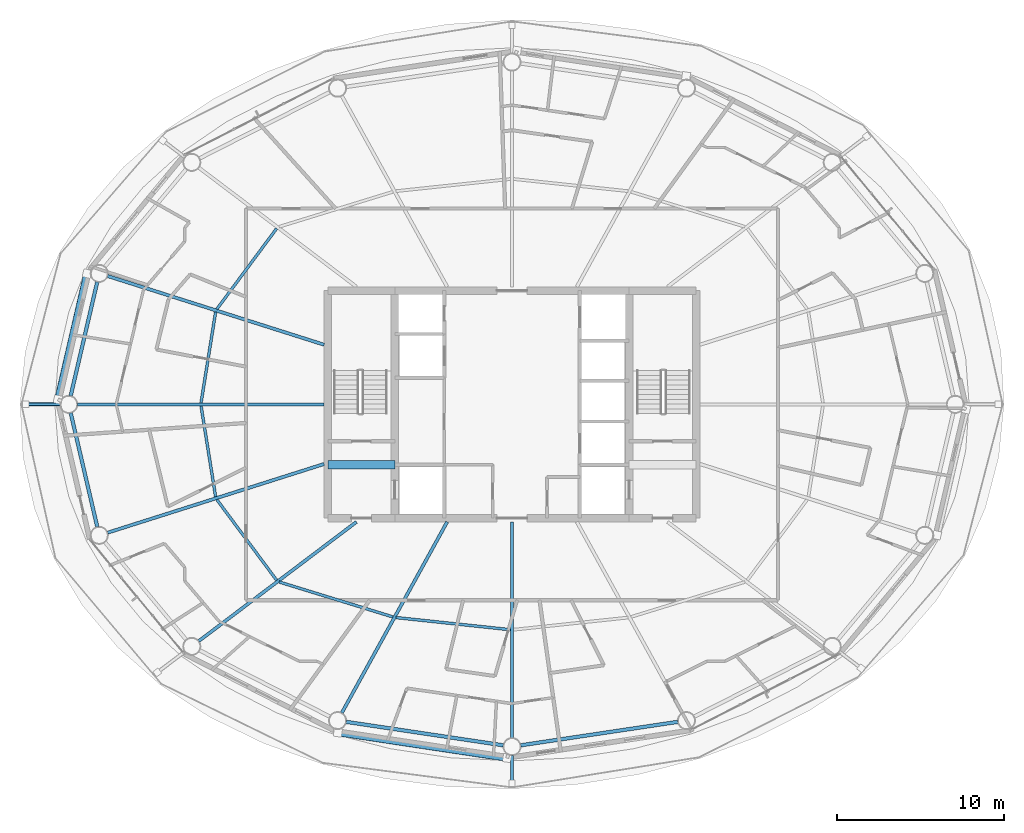
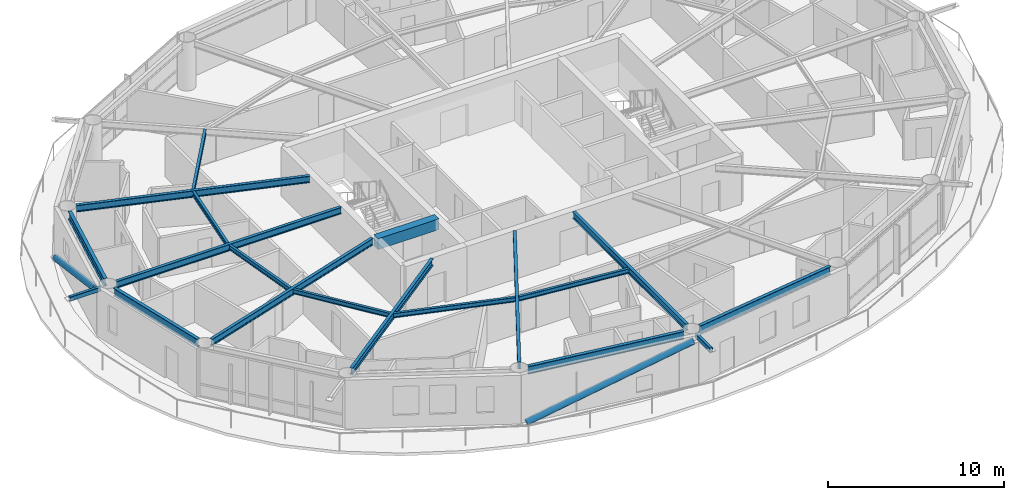
# One storey, part 4 of 30: 17 beams, 4 members.
"""IFC4 building model written with IfcOpenShell, lengths in metres."""

import ifcopenshell
import ifcopenshell.guid

model = None  # the IFC model being written
_history = None  # IfcOwnerHistory: only IFC2X3 demands one
_inside = {}  # id of a spatial element -> (the spatial element, [elements in it])
_under = {}  # id of a project, library or spatial element -> (it, [spatial elements below it])
_declared = {}  # id of a project -> (the project, [libraries it declares])
_typed = {}  # id of a type object -> (the type object, [elements of that type])
_made_of = {}  # id of a material, layer set ... -> (it, [elements and type objects made of it])


def new_model(schema):
    """Start an empty IFC model of exactly this schema.

    Asked for "IFC4X3", IfcOpenShell would pick the latest addendum, in which some entities
    have other attributes; the version numbers below select the first issue.
    IFC2X3 requires an IfcOwnerHistory on every rooted entity: one is made here for all.
    """
    global model, _history
    if schema == "IFC4X3":
        model = ifcopenshell.file(schema_version=(4, 3, 0, 0))
    else:
        model = ifcopenshell.file(schema=schema)
    _inside.clear()
    _under.clear()
    _declared.clear()
    _typed.clear()
    _made_of.clear()
    _history = None
    if model.schema == "IFC2X3":
        org = make("IfcOrganization", Name="unknown")
        user = make(
            "IfcPersonAndOrganization",
            ThePerson=make("IfcPerson", FamilyName="unknown"),
            TheOrganization=org,
        )
        app = make(
            "IfcApplication",
            ApplicationDeveloper=org,
            Version="unknown",
            ApplicationFullName="unknown",
            ApplicationIdentifier="unknown",
        )
        _history = make(
            "IfcOwnerHistory",
            OwningUser=user,
            OwningApplication=app,
            ChangeAction="ADDED",
            CreationDate=0,
        )
    return model


def make(cls, **values):
    """One entity of the class cls with the attributes given. An attribute that is None is left unset."""
    return model.create_entity(
        cls, **{name: value for name, value in values.items() if value is not None}
    )


def rooted(cls, **values):
    """An entity with a GlobalId (a new one), such as an element, a storey or a relation."""
    return make(cls, GlobalId=ifcopenshell.guid.new(), OwnerHistory=_history, **values)


def si_unit(unit_type, name, prefix=None):
    """IfcSIUnit, for example si_unit("LENGTHUNIT", "METRE", prefix="MILLI")."""
    return make("IfcSIUnit", UnitType=unit_type, Prefix=prefix, Name=name)


def assignment(units):
    """IfcUnitAssignment: the units of a project."""
    return None if units is None else make("IfcUnitAssignment", Units=units)


def point(xyz):
    """IfcCartesianPoint."""
    return None if xyz is None else make("IfcCartesianPoint", Coordinates=xyz)


def direction(xyz):
    """IfcDirection."""
    return None if xyz is None else make("IfcDirection", DirectionRatios=xyz)


def frame(location, z_axis=None, x_axis=None):
    """IfcAxis2Placement3D, a coordinate frame: its origin and axes. An axis left out is left unset."""
    return make(
        "IfcAxis2Placement3D",
        Location=point(location),
        Axis=direction(z_axis),
        RefDirection=direction(x_axis),
    )


def frame_2d(location, x_axis=None):
    """IfcAxis2Placement2D, a coordinate frame in the plane: its origin and x axis."""
    return make(
        "IfcAxis2Placement2D", Location=point(location), RefDirection=direction(x_axis)
    )


def origin():
    """The frame at (0, 0, 0) with its axes left unset."""
    return frame((0.0, 0.0, 0.0))


def origin_2d():
    """The frame at (0, 0) in the plane with its x axis left unset."""
    return frame_2d((0.0, 0.0))


def place(relative_to, where):
    """IfcLocalPlacement: puts the frame where relative to a parent placement (None: the world)."""
    return make(
        "IfcLocalPlacement", PlacementRelTo=relative_to, RelativePlacement=where
    )


def context(
    kind, dimensions, precision=None, world=None, true_north=None, identifier=None
):
    """IfcGeometricRepresentationContext, for example the 3D "Model" context."""
    return make(
        "IfcGeometricRepresentationContext",
        ContextIdentifier=identifier,
        ContextType=kind,
        CoordinateSpaceDimension=dimensions,
        Precision=precision,
        WorldCoordinateSystem=world,
        TrueNorth=true_north,
    )


def subcontext(parent, identifier, kind, view, scale=None):
    """IfcGeometricRepresentationSubContext, for example "Body" below "Model"."""
    return make(
        "IfcGeometricRepresentationSubContext",
        ContextIdentifier=identifier,
        ContextType=kind,
        ParentContext=parent,
        TargetScale=scale,
        TargetView=view,
    )


def project(units=None, contexts=None):
    """IfcProject with its units and contexts."""
    return rooted(
        "IfcProject",
        Name="project",
        RepresentationContexts=contexts,
        UnitsInContext=assignment(units),
    )


def spatial(cls, under=None, at=None, **own):
    """A site, building, storey or space (cls), placed at a placement, below another one or the project."""
    s = rooted(cls, ObjectPlacement=at, **own)
    if under is not None:
        _under.setdefault(under.id(), (under, []))[1].append(s)
    return s


def profile(cls, at=None, kind="AREA", **sizes):
    """A parametric profile (cls). Its sizes go by their IFC names, for example OverallWidth=200.0."""
    return make(cls, ProfileType=kind, Position=at, **sizes)


def rectangle(**sizes):
    """IfcRectangleProfileDef."""
    return profile("IfcRectangleProfileDef", **sizes)


def hollow_rectangle(**sizes):
    """IfcRectangleHollowProfileDef."""
    return profile("IfcRectangleHollowProfileDef", **sizes)


def hollow_circle(**sizes):
    """IfcCircleHollowProfileDef."""
    return profile("IfcCircleHollowProfileDef", **sizes)


def i_section(**sizes):
    """IfcIShapeProfileDef."""
    return profile("IfcIShapeProfileDef", **sizes)


def extrude(swept, where, along, depth):
    """IfcExtrudedAreaSolid: the profile swept, set in the frame where, extruded along a direction by depth."""
    return make(
        "IfcExtrudedAreaSolid",
        SweptArea=swept,
        Position=where,
        ExtrudedDirection=direction(along),
        Depth=depth,
    )


def shape(context_of_items, identifier, shape_type, items):
    """IfcShapeRepresentation: the items that make up one representation, for example the "Body"."""
    return make(
        "IfcShapeRepresentation",
        ContextOfItems=context_of_items,
        RepresentationIdentifier=identifier,
        RepresentationType=shape_type,
        Items=items,
    )


def material(Name=None, Category=None):
    """IfcMaterial."""
    return make("IfcMaterial", Name=Name, Category=Category)


def material_profile(
    of_material, cross_section, Name=None, Category=None, Priority=None
):
    """IfcMaterialProfile: a cross section and its material."""
    return make(
        "IfcMaterialProfile",
        Name=Name,
        Material=of_material,
        Profile=cross_section,
        Priority=Priority,
        Category=Category,
    )


def profile_set(profiles, Name=None, composite=None):
    """IfcMaterialProfileSet."""
    return make(
        "IfcMaterialProfileSet",
        Name=Name,
        MaterialProfiles=profiles,
        CompositeProfile=composite,
    )


def made_of(thing, what):
    """Note that an element or type object is made of a material, layer set ...; save() writes the relation."""
    if what is not None:
        _made_of.setdefault(what.id(), (what, []))[1].append(thing)
    return thing


def type_object(cls, material=None, **own):
    """A type object (cls), such as IfcWallType, which elements share."""
    return made_of(rooted(cls, **own), material)


def element(
    cls,
    number,
    at=None,
    inside=None,
    cuts=None,
    type_object=None,
    material=None,
    context=None,
    identifier="Body",
    shape_type=None,
    held_by="IfcProductDefinitionShape",
    body=None,
    shapes=None,
    **own,
):
    """One element of the class cls, such as IfcWall. Its Tag is "e" and its number.

    at: its placement. inside: the storey or other place that contains it. cuts: it is an
    opening in that element (IfcRelVoidsElement). A single representation is given by context,
    identifier, shape_type and body (its items); several are given by shapes. held_by: the class
    of the entity that holds the representations. save() writes the other relations.
    """
    e = rooted(cls, Tag="e%d" % number, ObjectPlacement=at, **own)
    if body is not None:
        shapes = [shape(context, identifier, shape_type, body)]
    if shapes is not None:
        e.Representation = make(held_by, Representations=shapes)
    if inside is not None:
        _inside.setdefault(inside.id(), (inside, []))[1].append(e)
    if cuts is not None:
        rooted(
            "IfcRelVoidsElement", RelatingBuildingElement=cuts, RelatedOpeningElement=e
        )
    if type_object is not None:
        _typed.setdefault(type_object.id(), (type_object, []))[1].append(e)
    return made_of(e, material)


def aggregate(whole, parts):
    """IfcRelAggregates: a whole, such as a stair, and the parts it consists of."""
    return rooted("IfcRelAggregates", RelatingObject=whole, RelatedObjects=parts)


def save(model, path):
    """Write the relations noted so far, then the file.

    IfcRelAggregates (storeys below a building ...), IfcRelContainedInSpatialStructure (elements
    in a storey), IfcRelDefinesByType, IfcRelAssociatesMaterial and IfcRelDeclares: one each for
    every whole, place, type object, material and project.
    """
    for whole, parts in _under.values():
        aggregate(whole, parts)
    for where, things in _inside.values():
        rooted(
            "IfcRelContainedInSpatialStructure",
            RelatedElements=things,
            RelatingStructure=where,
        )
    for kind, things in _typed.values():
        rooted("IfcRelDefinesByType", RelatedObjects=things, RelatingType=kind)
    for what, things in _made_of.values():
        rooted("IfcRelAssociatesMaterial", RelatedObjects=things, RelatingMaterial=what)
    for by, libraries in _declared.values():
        rooted("IfcRelDeclares", RelatingContext=by, RelatedDefinitions=libraries)
    model.write(path)


model = new_model("IFC4")

# Units and contexts
model_context = context("Model", 3, precision=1e-05, world=origin(), true_north=direction((0.0, 1.0)))
body_context = subcontext(model_context, "Body", "Model", "MODEL_VIEW")
ifc_project = project(units=[si_unit("LENGTHUNIT", "METRE"), si_unit("AREAUNIT", "SQUARE_METRE"), si_unit("VOLUMEUNIT", "CUBIC_METRE"), si_unit("PLANEANGLEUNIT", "RADIAN"), si_unit("MASSUNIT", "GRAM", prefix="KILO")], contexts=[model_context])

# Site, building, storey
site_placement = place(None, origin())
site = spatial("IfcSite", under=ifc_project, at=site_placement, CompositionType="ELEMENT")
building_placement = place(site_placement, origin())
building = spatial("IfcBuilding", under=site, at=building_placement, Name="Sarneth Arch Tower", CompositionType="ELEMENT")
storey_placement = place(building_placement, frame((0.0, 0.0, 161.39990234375)))
storey = spatial("IfcBuildingStorey", under=building, at=storey_placement, Name="L40", CompositionType="ELEMENT", Elevation=161.39990234375)

# Beams
ifc_material_1 = material(Name="Steel S355", Category="steel")
ifc_material_profile_1 = material_profile(ifc_material_1, i_section(OverallWidth=0.1669921875, OverallDepth=0.31689453125, WebThickness=0.007568359375, FlangeThickness=0.01318359375, FilletRadius=0.012939453125, at=origin_2d()), Name="W310x52")
ifc_profile_set_1 = profile_set([ifc_material_profile_1], Name="Steel S355")
beam_type_1 = type_object("IfcBeamType", Name="BM-JOIST-310B", PredefinedType="JOIST", material=ifc_profile_set_1)
beam_1_placement = place(storey_placement, frame((33.937255859375, 52.5068359375, 3.2216796875), z_axis=(-0.595933334016, -0.803033910497, 0.0), x_axis=(0.803033910497, -0.595933334016, 0.0)))
element("IfcBeam", 1, at=beam_1_placement, inside=storey, type_object=beam_type_1, Name="L40 Secondary floor joist 07", PredefinedType="JOIST", context=body_context, shape_type="SweptSolid", body=[
    extrude(i_section(OverallWidth=0.1669921875, OverallDepth=0.31689453125, WebThickness=0.007568359375, FlangeThickness=0.01318359375, FilletRadius=0.012939453125, at=origin_2d()), origin(), (0.0, 0.0, 1.0), 5.99560546875),
])
for number, where, z_axis, x_axis, name in (
    (2, (30.291259765625, 47.519287109375, 3.2216796875), (-0.158262632389, -0.987397052451, 0.0), (0.987397052451, -0.158262632389, 0.0), "L40 Secondary floor joist 08"),
    (3, (29.421875, 41.90478515625, 3.2216796875), (0.158262632389, -0.987397052451, 0.0), (0.987397052451, 0.158262632389, 0.0), "L40 Secondary floor joist 09"),
):
    element("IfcBeam", number, at=place(storey_placement, frame(where, z_axis=z_axis, x_axis=x_axis)), inside=storey, type_object=beam_type_1, Name=name, PredefinedType="JOIST", context=body_context, shape_type="SweptSolid", body=[
        extrude(i_section(OverallWidth=0.1669921875, OverallDepth=0.31689453125, WebThickness=0.007568359375, FlangeThickness=0.01318359375, FilletRadius=0.012939453125, at=origin_2d()), origin(), (0.0, 0.0, 1.0), 5.493408203125),
    ])
beam_2_placement = place(storey_placement, frame((30.3642578125, 36.307861328125, 3.2216796875), z_axis=(0.595933334016, -0.803033910497, 0.0), x_axis=(0.803033910497, 0.595933334016, 0.0)))
element("IfcBeam", 4, at=beam_2_placement, inside=storey, type_object=beam_type_1, Name="L40 Secondary floor joist 10", PredefinedType="JOIST", context=body_context, shape_type="SweptSolid", body=[
    extrude(i_section(OverallWidth=0.1669921875, OverallDepth=0.31689453125, WebThickness=0.007568359375, FlangeThickness=0.01318359375, FilletRadius=0.012939453125, at=origin_2d()), origin(), (0.0, 0.0, 1.0), 5.99560546875),
])
beam_3_placement = place(storey_placement, frame((34.087158203125, 31.38720703125, 3.2216796875), z_axis=(0.955929549608, -0.293596144707, 0.0), x_axis=(0.293596144707, 0.955929549608, 0.0)))
element("IfcBeam", 5, at=beam_3_placement, inside=storey, type_object=beam_type_1, Name="L40 Secondary floor joist 11", PredefinedType="JOIST", context=body_context, shape_type="SweptSolid", body=[
    extrude(i_section(OverallWidth=0.1669921875, OverallDepth=0.31689453125, WebThickness=0.007568359375, FlangeThickness=0.01318359375, FilletRadius=0.012939453125, at=origin_2d()), origin(), (0.0, 0.0, 1.0), 7.1123046875),
])
beam_4_placement = place(storey_placement, frame((41.07421875, 29.260498046875, 3.2216796875), z_axis=(0.994407831942, -0.105608066799, 0.0), x_axis=(0.105608066799, 0.994407831942, 0.0)))
element("IfcBeam", 6, at=beam_4_placement, inside=storey, type_object=beam_type_1, Name="L40 Secondary floor joist 12", PredefinedType="JOIST", context=body_context, shape_type="SweptSolid", body=[
    extrude(i_section(OverallWidth=0.1669921875, OverallDepth=0.31689453125, WebThickness=0.007568359375, FlangeThickness=0.01318359375, FilletRadius=0.012939453125, at=origin_2d()), origin(), (0.0, 0.0, 1.0), 6.8681640625),
])
ifc_material_2 = material(Name="Concrete C50/60", Category="concrete")
ifc_material_profile_2 = material_profile(ifc_material_2, rectangle(XDim=0.5, YDim=0.75, at=origin_2d()), Name="RC-500x750")
ifc_profile_set_2 = profile_set([ifc_material_profile_2], Name="Concrete C50/60")
beam_type_2 = type_object("IfcBeamType", Name="BM-LINTEL-RC", PredefinedType="LINTEL", material=ifc_profile_set_2)
beam_5_placement = place(storey_placement, frame((37.0, 38.39990234375, 3.005126953125), z_axis=(1.0, 0.0, 0.0), x_axis=(0.0, 1.0, 0.0)))
element("IfcBeam", 7, at=beam_5_placement, inside=storey, type_object=beam_type_2, Name="L40 Core coupling lintel W", PredefinedType="LINTEL", context=body_context, shape_type="SweptSolid", body=[
    extrude(rectangle(XDim=0.5, YDim=0.75, at=origin_2d()), origin(), (0.0, 0.0, 1.0), 4.0),
])
ifc_material_3 = material(Name="Steel S355", Category="steel")
ifc_material_profile_3 = material_profile(ifc_material_3, i_section(OverallWidth=0.193115234375, OverallDepth=0.466064453125, WebThickness=0.011474609375, FlangeThickness=0.01904296875, FilletRadius=0.01806640625, at=origin_2d()), Name="W460x97")
ifc_profile_set_3 = profile_set([ifc_material_profile_3], Name="Steel S355")
beam_type_3 = type_object("IfcBeamType", Name="BM-RAD-460C", PredefinedType="BEAM", material=ifc_profile_set_3)
beam_6_placement = place(storey_placement, frame((36.77490234375, 45.56201171875, 3.147216796875), z_axis=(-0.953163620049, 0.302455142815, 0.0), x_axis=(-0.302455142815, -0.953163620049, 0.0)))
element("IfcBeam", 8, at=beam_6_placement, inside=storey, type_object=beam_type_3, Name="L40 Radial floor girder 08", PredefinedType="BEAM", context=body_context, shape_type="SweptSolid", body=[
    extrude(i_section(OverallWidth=0.193115234375, OverallDepth=0.466064453125, WebThickness=0.011474609375, FlangeThickness=0.01904296875, FilletRadius=0.01806640625, at=origin_2d()), origin(), (0.0, 0.0, 1.0), 13.572265625),
])
beam_7_placement = place(storey_placement, frame((36.77490234375, 42.0, 3.147216796875), z_axis=(-1.0, 0.0, 0.0), x_axis=(0.0, -1.0, 0.0)))
element("IfcBeam", 9, at=beam_7_placement, inside=storey, type_object=beam_type_3, Name="L40 Radial floor girder 09", PredefinedType="BEAM", context=body_context, shape_type="SweptSolid", body=[
    extrude(i_section(OverallWidth=0.193115234375, OverallDepth=0.466064453125, WebThickness=0.011474609375, FlangeThickness=0.01904296875, FilletRadius=0.01806640625, at=origin_2d()), origin(), (0.0, 0.0, 1.0), 14.73681640625),
])
beam_8_placement = place(storey_placement, frame((36.77490234375, 38.43798828125, 3.147216796875), z_axis=(-0.953163620049, -0.302455142815, 0.0), x_axis=(0.302455142815, -0.953163620049, 0.0)))
element("IfcBeam", 10, at=beam_8_placement, inside=storey, type_object=beam_type_3, Name="L40 Radial floor girder 10", PredefinedType="BEAM", context=body_context, shape_type="SweptSolid", body=[
    extrude(i_section(OverallWidth=0.193115234375, OverallDepth=0.466064453125, WebThickness=0.011474609375, FlangeThickness=0.01904296875, FilletRadius=0.01806640625, at=origin_2d()), origin(), (0.0, 0.0, 1.0), 13.572265625),
])
beam_9_placement = place(storey_placement, frame((38.70458984375, 34.97509765625, 3.147216796875), z_axis=(-0.797786205076, -0.602940437349, 0.0), x_axis=(0.602940437349, -0.797786205076, 0.0)))
element("IfcBeam", 11, at=beam_9_placement, inside=storey, type_object=beam_type_3, Name="L40 Radial floor girder 11", PredefinedType="BEAM", context=body_context, shape_type="SweptSolid", body=[
    extrude(i_section(OverallWidth=0.193115234375, OverallDepth=0.466064453125, WebThickness=0.011474609375, FlangeThickness=0.01904296875, FilletRadius=0.01806640625, at=origin_2d()), origin(), (0.0, 0.0, 1.0), 11.806884765625),
])
beam_10_placement = place(storey_placement, frame((44.125, 34.97509765625, 3.147216796875), z_axis=(-0.483004525121, -0.87561785541, 0.0), x_axis=(0.87561785541, -0.483004525121, 0.0)))
element("IfcBeam", 12, at=beam_10_placement, inside=storey, type_object=beam_type_3, Name="L40 Radial floor girder 12", PredefinedType="BEAM", context=body_context, shape_type="SweptSolid", body=[
    extrude(i_section(OverallWidth=0.193115234375, OverallDepth=0.466064453125, WebThickness=0.011474609375, FlangeThickness=0.01904296875, FilletRadius=0.01806640625, at=origin_2d()), origin(), (0.0, 0.0, 1.0), 13.029296875),
])
beam_11_placement = place(storey_placement, frame((48.0, 34.97509765625, 3.147216796875), z_axis=(0.0, -1.0, 0.0), x_axis=(1.0, 0.0, 0.0)))
element("IfcBeam", 13, at=beam_11_placement, inside=storey, type_object=beam_type_3, Name="L40 Radial floor girder 13", PredefinedType="BEAM", context=body_context, shape_type="SweptSolid", body=[
    extrude(i_section(OverallWidth=0.193115234375, OverallDepth=0.466064453125, WebThickness=0.011474609375, FlangeThickness=0.01904296875, FilletRadius=0.01806640625, at=origin_2d()), origin(), (0.0, 0.0, 1.0), 12.900146484375),
])
ifc_material_4 = material(Name="Steel S355", Category="steel")
ifc_material_profile_4 = material_profile(ifc_material_4, i_section(OverallWidth=0.214111328125, OverallDepth=0.549072265625, WebThickness=0.0146484375, FlangeThickness=0.023681640625, FilletRadius=0.01806640625, at=origin_2d()), Name="W530x138")
ifc_profile_set_4 = profile_set([ifc_material_profile_4], Name="Steel S355")
beam_type_4 = type_object("IfcBeamType", Name="BM-RAD-530A", PredefinedType="BEAM", material=ifc_profile_set_4)
for number, where, z_axis, x_axis, name in (
    (14, (23.21875, 49.314697265625, 3.105712890625), (-0.22708709918, -0.973874452579, 0.0), (0.973874452579, -0.22708709918, 0.0), "L40 Perimeter spandrel beam 08"),
    (15, (21.63232421875, 41.48876953125, 3.105712890625), (0.22708709918, -0.973874452579, 0.0), (0.973874452579, 0.22708709918, 0.0), "L40 Perimeter spandrel beam 09"),
):
    element("IfcBeam", number, at=place(storey_placement, frame(where, z_axis=z_axis, x_axis=x_axis)), inside=storey, type_object=beam_type_4, Name=name, PredefinedType="BEAM", context=body_context, shape_type="SweptSolid", body=[
        extrude(i_section(OverallWidth=0.214111328125, OverallDepth=0.549072265625, WebThickness=0.0146484375, FlangeThickness=0.023681640625, FilletRadius=0.01806640625, at=origin_2d()), origin(), (0.0, 0.0, 1.0), 6.986083984375),
    ])
for number, where, z_axis, x_axis, name in (
    (16, (38.097412109375, 23.029052734375, 3.105712890625), (0.989027145133, -0.14773390332, 0.0), (0.14773390332, 0.989027145133, 0.0), "L40 Perimeter spandrel beam 12"),
    (17, (48.519287109375, 21.62744140625, 3.105712890625), (0.989027145133, 0.14773390332, 0.0), (-0.14773390332, 0.989027145133, 0.0), "L40 Perimeter spandrel beam 13"),
):
    element("IfcBeam", number, at=place(storey_placement, frame(where, z_axis=z_axis, x_axis=x_axis)), inside=storey, type_object=beam_type_4, Name=name, PredefinedType="BEAM", context=body_context, shape_type="SweptSolid", body=[
        extrude(i_section(OverallWidth=0.214111328125, OverallDepth=0.549072265625, WebThickness=0.0146484375, FlangeThickness=0.023681640625, FilletRadius=0.01806640625, at=origin_2d()), origin(), (0.0, 0.0, 1.0), 9.4873046875),
    ])

# Members
ifc_material_5 = material(Name="Steel S355", Category="steel")
ifc_material_profile_5 = material_profile(ifc_material_5, hollow_rectangle(XDim=0.199951171875, YDim=0.300048828125, WallThickness=0.012451171875, InnerFilletRadius=0.018798828125, OuterFilletRadius=0.03125, at=origin_2d()), Name="RHS300x200x12.5")
ifc_profile_set_5 = profile_set([ifc_material_profile_5], Name="Steel S355")
member_type_1 = type_object("IfcMemberType", Name="MEM-CANT-STRUT", PredefinedType="STRUT", material=ifc_profile_set_5)
member_1_placement = place(storey_placement, frame((20.988037109375, 42.0, 3.22021484375), z_axis=(-1.0, 0.0, 0.0), x_axis=(0.0, -1.0, 0.0)))
element("IfcMember", 18, at=member_1_placement, inside=storey, type_object=member_type_1, Name="L40 Balcony cantilever bracket 09", PredefinedType="STRUT", context=body_context, shape_type="SweptSolid", body=[
    extrude(hollow_rectangle(XDim=0.199951171875, YDim=0.300048828125, WallThickness=0.012451171875, InnerFilletRadius=0.018798828125, OuterFilletRadius=0.03125, at=origin_2d()), origin(), (0.0, 0.0, 1.0), 2.033935546875),
])
member_2_placement = place(storey_placement, frame((48.0, 21.02490234375, 3.22021484375), z_axis=(0.0, -1.0, 0.0), x_axis=(1.0, 0.0, 0.0)))
element("IfcMember", 19, at=member_2_placement, inside=storey, type_object=member_type_1, Name="L40 Balcony cantilever bracket 13", PredefinedType="STRUT", context=body_context, shape_type="SweptSolid", body=[
    extrude(hollow_rectangle(XDim=0.199951171875, YDim=0.300048828125, WallThickness=0.012451171875, InnerFilletRadius=0.018798828125, OuterFilletRadius=0.03125, at=origin_2d()), origin(), (0.0, 0.0, 1.0), 1.665771484375),
])
ifc_material_6 = material(Name="Steel S355", Category="steel")
ifc_material_profile_6 = material_profile(ifc_material_6, hollow_circle(Radius=0.202880859375, WallThickness=0.01611328125, at=origin_2d()), Name="CHS406x16")
ifc_profile_set_6 = profile_set([ifc_material_profile_6], Name="Steel S355")
member_type_2 = type_object("IfcMemberType", Name="MEM-DIAG-BR2", PredefinedType="BRACE", material=ifc_profile_set_6)
member_3_placement = place(storey_placement, frame((22.609619140625, 49.81298828125, 0.02001953125), z_axis=(-0.209644021591, -0.906906907052, 0.365471265838), x_axis=(0.974306903917, -0.225224459107, 0.0)))
element("IfcMember", 20, at=member_3_placement, inside=storey, type_object=member_type_2, Name="L40 Perimeter frame diagonal 08", PredefinedType="BRACE", context=body_context, shape_type="SweptSolid", body=[
    extrude(hollow_circle(Radius=0.202880859375, WallThickness=0.01611328125, at=origin_2d()), origin(), (0.0, 0.0, 1.0), 8.292724609375),
])
member_4_placement = place(storey_placement, frame((37.595703125, 22.387451171875, 0.02001953125), z_axis=(0.948046741033, -0.142821852705, 0.284269757812), x_axis=(0.148967610144, 0.988842075929, 0.0)))
element("IfcMember", 21, at=member_4_placement, inside=storey, type_object=member_type_2, Name="L40 Perimeter frame diagonal 12", PredefinedType="BRACE", context=body_context, shape_type="SweptSolid", body=[
    extrude(hollow_circle(Radius=0.202880859375, WallThickness=0.01611328125, at=origin_2d()), origin(), (0.0, 0.0, 1.0), 10.66162109375),
])

save(model, "model.ifc")
